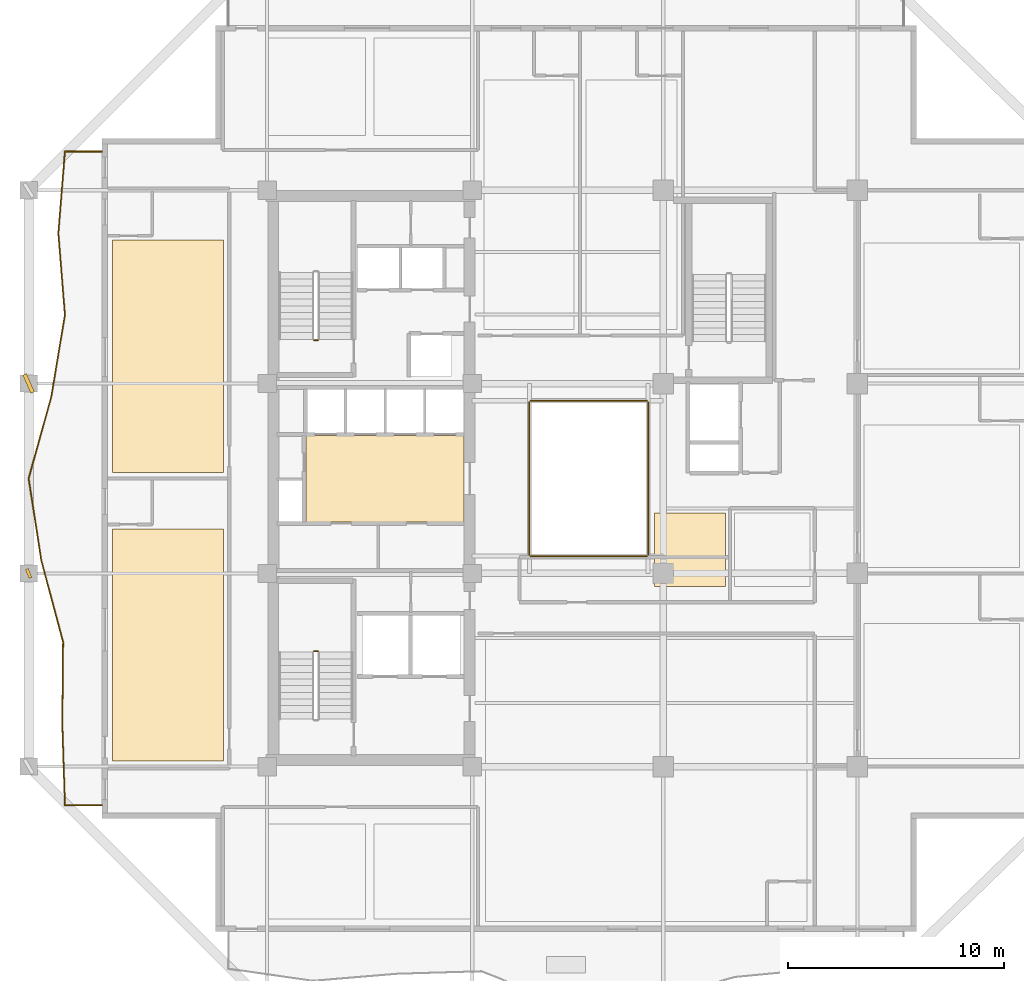
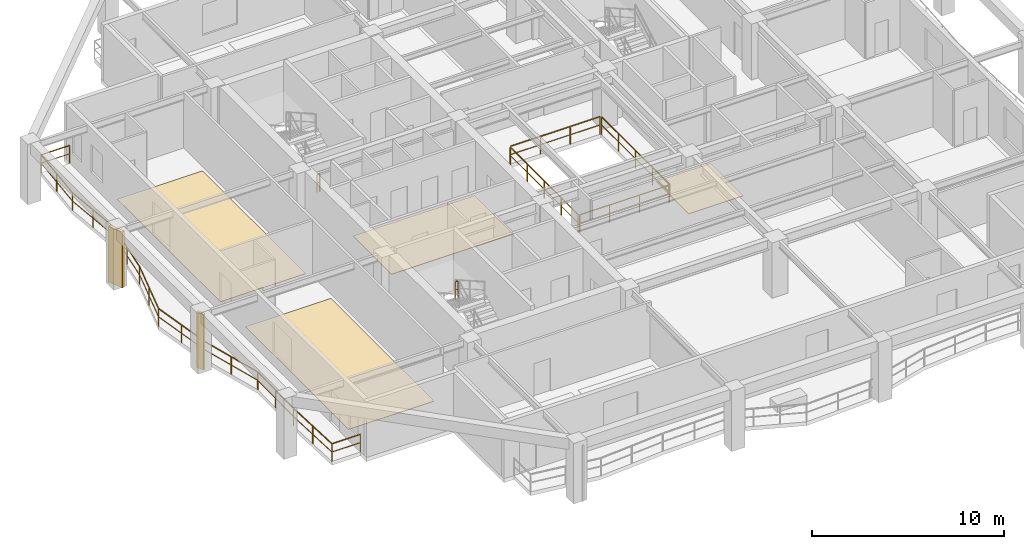
# One storey, part 8 of 12: 7 railings, 4 coverings, 2 shading devices.
"""IFC4 building model written with IfcOpenShell, lengths in metres."""

from ifc_helpers import new_model, si_unit, direction, frame, origin, origin_2d, place, context, subcontext, project, spatial, polyline, rectangle, outline, extrude, material, layer, layer_set, type_object, element, save


model = new_model("IFC4")

# Units and contexts
model_context = context("Model", 3, precision=1e-05, world=origin(), true_north=direction((0.0, 1.0)))
body_context = subcontext(model_context, "Body", "Model", "MODEL_VIEW")
ifc_project = project(units=[si_unit("LENGTHUNIT", "METRE"), si_unit("AREAUNIT", "SQUARE_METRE"), si_unit("VOLUMEUNIT", "CUBIC_METRE"), si_unit("PLANEANGLEUNIT", "RADIAN"), si_unit("MASSUNIT", "GRAM", prefix="KILO")], contexts=[model_context])

# Site, building, storey
site_placement = place(None, origin())
site = spatial("IfcSite", under=ifc_project, at=site_placement, CompositionType="ELEMENT")
building_placement = place(site_placement, origin())
building = spatial("IfcBuilding", under=site, at=building_placement, Name="Kundavana Baori Tower", CompositionType="ELEMENT")
storey_placement = place(building_placement, frame((0.0, 0.0, 200.25)))
storey = spatial("IfcBuildingStorey", under=building, at=storey_placement, Name="L49", CompositionType="ELEMENT", Elevation=200.25)

# Coverings
ifc_material_1 = material(Name="Honed Kota Stone and Terrazzo Flooring", Category="masonry")
ifc_layer_1 = layer(ifc_material_1, 0.0400390625, Name="COV-FLR-TERR-40")
ifc_layer_set_1 = layer_set([ifc_layer_1], Name="Honed Kota Stone and Terrazzo Flooring")
covering_type_1 = type_object("IfcCoveringType", Name="COV-FLR-TERR-40", PredefinedType="FLOORING", material=ifc_layer_set_1)
covering_1_placement = place(storey_placement, origin())
element("IfcCovering", 1, at=covering_1_placement, inside=storey, type_object=covering_type_1, Name="L49 Core Lift Lobby Kota Stone Flooring", PredefinedType="FLOORING", context=body_context, shape_type="SweptSolid", body=[
    extrude(outline(polyline([(17.25, 26.580078125), (24.580078125, 26.580078125), (24.580078125, 30.60009765625), (17.25, 30.60009765625), (17.25, 26.580078125)])), origin(), (0.0, 0.0, 1.0), 0.0400390625),
])
ifc_material_2 = material(Name="Honed Kota Stone and Terrazzo Flooring", Category="masonry")
ifc_layer_2 = layer(ifc_material_2, 0.030029296875, Name="COV-INT-FLR")
ifc_layer_set_2 = layer_set([ifc_layer_2], Name="Honed Kota Stone and Terrazzo Flooring")
covering_type_2 = type_object("IfcCoveringType", Name="COV-INT-FLR", PredefinedType="FLOORING", material=ifc_layer_set_2)
covering_2_placement = place(storey_placement, origin())
element("IfcCovering", 2, at=covering_2_placement, inside=storey, type_object=covering_type_2, Name="L49 Room Finished Stone Flooring 1", PredefinedType="FLOORING", context=body_context, shape_type="SweptSolid", body=[
    extrude(outline(polyline([(8.280029296875, 15.5), (13.419921875, 15.5), (13.419921875, 26.27001953125), (8.280029296875, 26.27001953125), (8.280029296875, 15.5)])), origin(), (0.0, 0.0, 1.0), 0.030029296875),
])
covering_3_placement = place(storey_placement, origin())
element("IfcCovering", 3, at=covering_3_placement, inside=storey, type_object=covering_type_2, Name="L49 Room Finished Stone Flooring 2", PredefinedType="FLOORING", context=body_context, shape_type="SweptSolid", body=[
    extrude(outline(polyline([(8.280029296875, 28.8798828125), (13.419921875, 28.8798828125), (13.419921875, 39.64990234375), (8.280029296875, 39.64990234375), (8.280029296875, 28.8798828125)])), origin(), (0.0, 0.0, 1.0), 0.030029296875),
])
covering_4_placement = place(storey_placement, origin())
element("IfcCovering", 4, at=covering_4_placement, inside=storey, type_object=covering_type_2, Name="L49 Room Finished Stone Flooring 13", PredefinedType="FLOORING", context=body_context, shape_type="SweptSolid", body=[
    extrude(outline(polyline([(33.39990234375, 23.60009765625), (36.699951171875, 23.60009765625), (36.699951171875, 27.0), (33.39990234375, 27.0), (33.39990234375, 23.60009765625)])), origin(), (0.0, 0.0, 1.0), 0.030029296875),
])

# Railings
ifc_material_3 = material(Name="Architectural Patinated Bronze Metalwork")
railing_type_1 = type_object("IfcRailingType", Name="RL-BAL-1150", PredefinedType="BALUSTRADE", material=ifc_material_3)
railing_1_placement = place(storey_placement, frame((7.800048828125, 13.449951171875, 0.0)))
element("IfcRailing", 5, at=railing_1_placement, inside=storey, type_object=railing_type_1, Name="L49 Loggia Balcony Balustrade W", PredefinedType="BALUSTRADE", context=body_context, shape_type="SweptSolid", body=[
    extrude(rectangle(XDim=0.048095703125, YDim=0.048095703125, at=origin_2d()), frame((0.0, 0.0, 1.1259765625), z_axis=(-1.0, 0.0, 0.0), x_axis=(0.0, -1.0, 0.0)), (0.0, 0.0, 1.0), 1.719970703125),
    extrude(rectangle(XDim=0.03125, YDim=0.03125, at=origin_2d()), frame((0.0, 0.0, 0.597900390625), z_axis=(-1.0, 0.0, 0.0), x_axis=(0.0, -1.0, 0.0)), (0.0, 0.0, 1.0), 1.719970703125),
    extrude(rectangle(XDim=0.048095703125, YDim=0.048095703125, at=origin_2d()), frame((-1.719970703125, 0.0, 1.1259765625), z_axis=(-0.03246547565, 0.999472857506, 0.0), x_axis=(-0.999472857506, -0.03246547565, 0.0)), (0.0, 0.0, 1.0), 3.7900390625),
    extrude(rectangle(XDim=0.03125, YDim=0.03125, at=origin_2d()), frame((-1.719970703125, 0.0, 0.597900390625), z_axis=(-0.03246547565, 0.999472857506, 0.0), x_axis=(-0.999472857506, -0.03246547565, 0.0)), (0.0, 0.0, 1.0), 3.7900390625),
    extrude(rectangle(XDim=0.048095703125, YDim=0.048095703125, at=origin_2d()), frame((-1.843017578125, 3.7880859375, 1.1259765625), z_axis=(0.00973456549, 0.999952617995, 0.0), x_axis=(-0.999952617995, 0.00973456549, 0.0)), (0.0, 0.0, 1.0), 3.787109375),
    extrude(rectangle(XDim=0.03125, YDim=0.03125, at=origin_2d()), frame((-1.843017578125, 3.7880859375, 0.597900390625), z_axis=(0.00973456549, 0.999952617995, 0.0), x_axis=(-0.999952617995, 0.00973456549, 0.0)), (0.0, 0.0, 1.0), 3.787109375),
    extrude(rectangle(XDim=0.048095703125, YDim=0.048095703125, at=origin_2d()), frame((-1.80615234375, 7.574951171875, 1.1259765625), z_axis=(-0.257922377648, 0.966165641652, 0.0), x_axis=(-0.966165641652, -0.257922377648, 0.0)), (0.0, 0.0, 1.0), 3.919677734375),
    extrude(rectangle(XDim=0.03125, YDim=0.03125, at=origin_2d()), frame((-1.80615234375, 7.574951171875, 0.597900390625), z_axis=(-0.257922377648, 0.966165641652, 0.0), x_axis=(-0.966165641652, -0.257922377648, 0.0)), (0.0, 0.0, 1.0), 3.919677734375),
    extrude(rectangle(XDim=0.048095703125, YDim=0.048095703125, at=origin_2d()), frame((-2.817138671875, 11.362060546875, 1.1259765625), z_axis=(-0.152114624091, 0.988362859044, 0.0), x_axis=(-0.988362859044, -0.152114624091, 0.0)), (0.0, 0.0, 1.0), 3.832763671875),
    extrude(rectangle(XDim=0.03125, YDim=0.03125, at=origin_2d()), frame((-2.817138671875, 11.362060546875, 0.597900390625), z_axis=(-0.152114624091, 0.988362859044, 0.0), x_axis=(-0.988362859044, -0.152114624091, 0.0)), (0.0, 0.0, 1.0), 3.832763671875),
    extrude(rectangle(XDim=0.048095703125, YDim=0.048095703125, at=origin_2d()), frame((-3.400146484375, 15.150146484375, 1.1259765625), z_axis=(0.266679363274, 0.963785306592, 0.0), x_axis=(-0.963785306592, 0.266679363274, 0.0)), (0.0, 0.0, 1.0), 3.93017578125),
    extrude(rectangle(XDim=0.03125, YDim=0.03125, at=origin_2d()), frame((-3.400146484375, 15.150146484375, 0.597900390625), z_axis=(0.266679363274, 0.963785306592, 0.0), x_axis=(-0.963785306592, 0.266679363274, 0.0)), (0.0, 0.0, 1.0), 3.93017578125),
    extrude(rectangle(XDim=0.048095703125, YDim=0.048095703125, at=origin_2d()), frame((-2.35205078125, 18.93798828125, 1.1259765625), z_axis=(0.16437836371, 0.986397360876, 0.0), x_axis=(-0.986397360876, 0.16437836371, 0.0)), (0.0, 0.0, 1.0), 3.83935546875),
    extrude(rectangle(XDim=0.03125, YDim=0.03125, at=origin_2d()), frame((-2.35205078125, 18.93798828125, 0.597900390625), z_axis=(0.16437836371, 0.986397360876, 0.0), x_axis=(-0.986397360876, 0.16437836371, 0.0)), (0.0, 0.0, 1.0), 3.83935546875),
    extrude(rectangle(XDim=0.048095703125, YDim=0.048095703125, at=origin_2d()), frame((-1.720947265625, 22.72509765625, 1.1259765625), z_axis=(-0.080072154037, 0.996789070038, 0.0), x_axis=(-0.996789070038, -0.080072154037, 0.0)), (0.0, 0.0, 1.0), 3.799072265625),
    extrude(rectangle(XDim=0.03125, YDim=0.03125, at=origin_2d()), frame((-1.720947265625, 22.72509765625, 0.597900390625), z_axis=(-0.080072154037, 0.996789070038, 0.0), x_axis=(-0.996789070038, -0.080072154037, 0.0)), (0.0, 0.0, 1.0), 3.799072265625),
    extrude(rectangle(XDim=0.048095703125, YDim=0.048095703125, at=origin_2d()), frame((-2.025146484375, 26.511962890625, 1.1259765625), z_axis=(0.080301833049, 0.996770593271, 0.0), x_axis=(-0.996770593271, 0.080301833049, 0.0)), (0.0, 0.0, 1.0), 3.80029296875),
    extrude(rectangle(XDim=0.03125, YDim=0.03125, at=origin_2d()), frame((-2.025146484375, 26.511962890625, 0.597900390625), z_axis=(0.080301833049, 0.996770593271, 0.0), x_axis=(-0.996770593271, 0.080301833049, 0.0)), (0.0, 0.0, 1.0), 3.80029296875),
    extrude(rectangle(XDim=0.048095703125, YDim=0.048095703125, at=origin_2d()), frame((-1.719970703125, 30.300048828125, 1.1259765625), z_axis=(1.0, 0.0, 0.0), x_axis=(0.0, 1.0, 0.0)), (0.0, 0.0, 1.0), 1.719970703125),
    extrude(rectangle(XDim=0.03125, YDim=0.03125, at=origin_2d()), frame((-1.719970703125, 30.300048828125, 0.597900390625), z_axis=(1.0, 0.0, 0.0), x_axis=(0.0, 1.0, 0.0)), (0.0, 0.0, 1.0), 1.719970703125),
    extrude(rectangle(XDim=0.0419921875, YDim=0.0419921875, at=origin_2d()), origin(), (0.0, 0.0, 1.0), 1.101806640625),
    extrude(rectangle(XDim=0.0419921875, YDim=0.0419921875, at=origin_2d()), frame((-1.719970703125, 0.0, 0.0)), (0.0, 0.0, 1.0), 1.101806640625),
    extrude(rectangle(XDim=0.0419921875, YDim=0.0419921875, at=origin_2d()), frame((-1.781494140625, 1.89404296875, 0.0)), (0.0, 0.0, 1.0), 1.101806640625),
    extrude(rectangle(XDim=0.0419921875, YDim=0.0419921875, at=origin_2d()), frame((-1.843017578125, 3.7880859375, 0.0)), (0.0, 0.0, 1.0), 1.101806640625),
    extrude(rectangle(XDim=0.0419921875, YDim=0.0419921875, at=origin_2d()), frame((-1.82470703125, 5.681640625, 0.0)), (0.0, 0.0, 1.0), 1.101806640625),
    extrude(rectangle(XDim=0.0419921875, YDim=0.0419921875, at=origin_2d()), frame((-1.80615234375, 7.574951171875, 0.0)), (0.0, 0.0, 1.0), 1.101806640625),
    extrude(rectangle(XDim=0.0419921875, YDim=0.0419921875, at=origin_2d()), frame((-2.3115234375, 9.468505859375, 0.0)), (0.0, 0.0, 1.0), 1.101806640625),
    extrude(rectangle(XDim=0.0419921875, YDim=0.0419921875, at=origin_2d()), frame((-2.817138671875, 11.362060546875, 0.0)), (0.0, 0.0, 1.0), 1.101806640625),
    extrude(rectangle(XDim=0.0419921875, YDim=0.0419921875, at=origin_2d()), frame((-3.108642578125, 13.256103515625, 0.0)), (0.0, 0.0, 1.0), 1.101806640625),
    extrude(rectangle(XDim=0.0419921875, YDim=0.0419921875, at=origin_2d()), frame((-3.400146484375, 15.150146484375, 0.0)), (0.0, 0.0, 1.0), 1.101806640625),
    extrude(rectangle(XDim=0.0419921875, YDim=0.0419921875, at=origin_2d()), frame((-2.8759765625, 17.0439453125, 0.0)), (0.0, 0.0, 1.0), 1.101806640625),
    extrude(rectangle(XDim=0.0419921875, YDim=0.0419921875, at=origin_2d()), frame((-2.35205078125, 18.93798828125, 0.0)), (0.0, 0.0, 1.0), 1.101806640625),
    extrude(rectangle(XDim=0.0419921875, YDim=0.0419921875, at=origin_2d()), frame((-2.03662109375, 20.83154296875, 0.0)), (0.0, 0.0, 1.0), 1.101806640625),
    extrude(rectangle(XDim=0.0419921875, YDim=0.0419921875, at=origin_2d()), frame((-1.720947265625, 22.72509765625, 0.0)), (0.0, 0.0, 1.0), 1.101806640625),
    extrude(rectangle(XDim=0.0419921875, YDim=0.0419921875, at=origin_2d()), frame((-1.873046875, 24.61865234375, 0.0)), (0.0, 0.0, 1.0), 1.101806640625),
    extrude(rectangle(XDim=0.0419921875, YDim=0.0419921875, at=origin_2d()), frame((-2.025146484375, 26.511962890625, 0.0)), (0.0, 0.0, 1.0), 1.101806640625),
    extrude(rectangle(XDim=0.0419921875, YDim=0.0419921875, at=origin_2d()), frame((-1.87255859375, 28.406005859375, 0.0)), (0.0, 0.0, 1.0), 1.101806640625),
    extrude(rectangle(XDim=0.0419921875, YDim=0.0419921875, at=origin_2d()), frame((-1.719970703125, 30.300048828125, 0.0)), (0.0, 0.0, 1.0), 1.101806640625),
    extrude(rectangle(XDim=0.0419921875, YDim=0.0419921875, at=origin_2d()), frame((0.0, 30.300048828125, 0.0)), (0.0, 0.0, 1.0), 1.101806640625),
])
ifc_material_4 = material(Name="Architectural Patinated Bronze Metalwork")
railing_type_2 = type_object("IfcRailingType", Name="RL-GRD-1150", PredefinedType="GUARDRAIL", material=ifc_material_4)
for number, where, name in (
    (6, (17.7900390625, 20.60009765625, 1.925048828125), "L49 ST1 stair guard 2"),
    (7, (17.7900390625, 35.0, 0.0), "L49 ST2 stair guard 4"),
):
    element("IfcRailing", number, at=place(storey_placement, frame(where)), inside=storey, type_object=railing_type_2, Name=name, PredefinedType="GUARDRAIL", context=body_context, shape_type="SweptSolid", body=[
        extrude(rectangle(XDim=0.048095703125, YDim=0.048095703125, at=origin_2d()), frame((0.0, 0.0, 1.1259765625), z_axis=(-1.0, 0.0, 0.0), x_axis=(0.0, -1.0, 0.0)), (0.0, 0.0, 1.0), 0.16015625),
        extrude(rectangle(XDim=0.03125, YDim=0.03125, at=origin_2d()), frame((0.0, 0.0, 0.597900390625), z_axis=(-1.0, 0.0, 0.0), x_axis=(0.0, -1.0, 0.0)), (0.0, 0.0, 1.0), 0.16015625),
        extrude(rectangle(XDim=0.0419921875, YDim=0.0419921875, at=origin_2d()), origin(), (0.0, 0.0, 1.0), 1.101806640625),
        extrude(rectangle(XDim=0.0419921875, YDim=0.0419921875, at=origin_2d()), frame((-0.16015625, 0.0, 0.0)), (0.0, 0.0, 1.0), 1.101806640625),
    ])
railing_2_placement = place(storey_placement, frame((27.659912109375, 25.0, 0.0)))
element("IfcRailing", 8, at=railing_2_placement, inside=storey, type_object=railing_type_2, Name="L49 Atrium Void Perimeter Guardrail S", PredefinedType="GUARDRAIL", context=body_context, shape_type="SweptSolid", body=[
    extrude(rectangle(XDim=0.048095703125, YDim=0.048095703125, at=origin_2d()), frame((0.0, 0.0, 1.1259765625), z_axis=(1.0, 0.0, 0.0), x_axis=(0.0, 1.0, 0.0)), (0.0, 0.0, 1.0), 5.380126953125),
    extrude(rectangle(XDim=0.03125, YDim=0.03125, at=origin_2d()), frame((0.0, 0.0, 0.597900390625), z_axis=(1.0, 0.0, 0.0), x_axis=(0.0, 1.0, 0.0)), (0.0, 0.0, 1.0), 5.380126953125),
    extrude(rectangle(XDim=0.0419921875, YDim=0.0419921875, at=origin_2d()), origin(), (0.0, 0.0, 1.0), 1.101806640625),
    extrude(rectangle(XDim=0.0419921875, YDim=0.0419921875, at=origin_2d()), frame((1.79345703125, 0.0, 0.0)), (0.0, 0.0, 1.0), 1.101806640625),
    extrude(rectangle(XDim=0.0419921875, YDim=0.0419921875, at=origin_2d()), frame((3.586669921875, 0.0, 0.0)), (0.0, 0.0, 1.0), 1.101806640625),
    extrude(rectangle(XDim=0.0419921875, YDim=0.0419921875, at=origin_2d()), frame((5.380126953125, 0.0, 0.0)), (0.0, 0.0, 1.0), 1.101806640625),
])
railing_3_placement = place(storey_placement, frame((33.10009765625, 25.06005859375, 0.0)))
element("IfcRailing", 9, at=railing_3_placement, inside=storey, type_object=railing_type_2, Name="L49 Atrium Void Perimeter Guardrail E", PredefinedType="GUARDRAIL", context=body_context, shape_type="SweptSolid", body=[
    extrude(rectangle(XDim=0.048095703125, YDim=0.048095703125, at=origin_2d()), frame((0.0, 0.0, 1.1259765625), z_axis=(0.0, 1.0, 0.0), x_axis=(-1.0, 0.0, 0.0)), (0.0, 0.0, 1.0), 7.079833984375),
    extrude(rectangle(XDim=0.03125, YDim=0.03125, at=origin_2d()), frame((0.0, 0.0, 0.597900390625), z_axis=(0.0, 1.0, 0.0), x_axis=(-1.0, 0.0, 0.0)), (0.0, 0.0, 1.0), 7.079833984375),
    extrude(rectangle(XDim=0.0419921875, YDim=0.0419921875, at=origin_2d()), origin(), (0.0, 0.0, 1.0), 1.101806640625),
    extrude(rectangle(XDim=0.0419921875, YDim=0.0419921875, at=origin_2d()), frame((0.0, 1.77001953125, 0.0)), (0.0, 0.0, 1.0), 1.101806640625),
    extrude(rectangle(XDim=0.0419921875, YDim=0.0419921875, at=origin_2d()), frame((0.0, 3.5400390625, 0.0)), (0.0, 0.0, 1.0), 1.101806640625),
    extrude(rectangle(XDim=0.0419921875, YDim=0.0419921875, at=origin_2d()), frame((0.0, 5.309814453125, 0.0)), (0.0, 0.0, 1.0), 1.101806640625),
    extrude(rectangle(XDim=0.0419921875, YDim=0.0419921875, at=origin_2d()), frame((0.0, 7.079833984375, 0.0)), (0.0, 0.0, 1.0), 1.101806640625),
])
railing_4_placement = place(storey_placement, frame((33.0400390625, 32.199951171875, 0.0)))
element("IfcRailing", 10, at=railing_4_placement, inside=storey, type_object=railing_type_2, Name="L49 Atrium Void Perimeter Guardrail N", PredefinedType="GUARDRAIL", context=body_context, shape_type="SweptSolid", body=[
    extrude(rectangle(XDim=0.048095703125, YDim=0.048095703125, at=origin_2d()), frame((0.0, 0.0, 1.1259765625), z_axis=(-1.0, 0.0, 0.0), x_axis=(0.0, -1.0, 0.0)), (0.0, 0.0, 1.0), 5.380126953125),
    extrude(rectangle(XDim=0.03125, YDim=0.03125, at=origin_2d()), frame((0.0, 0.0, 0.597900390625), z_axis=(-1.0, 0.0, 0.0), x_axis=(0.0, -1.0, 0.0)), (0.0, 0.0, 1.0), 5.380126953125),
    extrude(rectangle(XDim=0.0419921875, YDim=0.0419921875, at=origin_2d()), origin(), (0.0, 0.0, 1.0), 1.101806640625),
    extrude(rectangle(XDim=0.0419921875, YDim=0.0419921875, at=origin_2d()), frame((-1.79345703125, 0.0, 0.0)), (0.0, 0.0, 1.0), 1.101806640625),
    extrude(rectangle(XDim=0.0419921875, YDim=0.0419921875, at=origin_2d()), frame((-3.586669921875, 0.0, 0.0)), (0.0, 0.0, 1.0), 1.101806640625),
    extrude(rectangle(XDim=0.0419921875, YDim=0.0419921875, at=origin_2d()), frame((-5.380126953125, 0.0, 0.0)), (0.0, 0.0, 1.0), 1.101806640625),
])
railing_5_placement = place(storey_placement, frame((27.60009765625, 32.139892578125, 0.0)))
element("IfcRailing", 11, at=railing_5_placement, inside=storey, type_object=railing_type_2, Name="L49 Atrium Void Perimeter Guardrail W", PredefinedType="GUARDRAIL", context=body_context, shape_type="SweptSolid", body=[
    extrude(rectangle(XDim=0.048095703125, YDim=0.048095703125, at=origin_2d()), frame((0.0, 0.0, 1.1259765625), z_axis=(0.0, -1.0, 0.0), x_axis=(1.0, 0.0, 0.0)), (0.0, 0.0, 1.0), 7.079833984375),
    extrude(rectangle(XDim=0.03125, YDim=0.03125, at=origin_2d()), frame((0.0, 0.0, 0.597900390625), z_axis=(0.0, -1.0, 0.0), x_axis=(1.0, 0.0, 0.0)), (0.0, 0.0, 1.0), 7.079833984375),
    extrude(rectangle(XDim=0.0419921875, YDim=0.0419921875, at=origin_2d()), origin(), (0.0, 0.0, 1.0), 1.101806640625),
    extrude(rectangle(XDim=0.0419921875, YDim=0.0419921875, at=origin_2d()), frame((0.0, -1.77001953125, 0.0)), (0.0, 0.0, 1.0), 1.101806640625),
    extrude(rectangle(XDim=0.0419921875, YDim=0.0419921875, at=origin_2d()), frame((0.0, -3.5400390625, 0.0)), (0.0, 0.0, 1.0), 1.101806640625),
    extrude(rectangle(XDim=0.0419921875, YDim=0.0419921875, at=origin_2d()), frame((0.0, -5.309814453125, 0.0)), (0.0, 0.0, 1.0), 1.101806640625),
    extrude(rectangle(XDim=0.0419921875, YDim=0.0419921875, at=origin_2d()), frame((0.0, -7.079833984375, 0.0)), (0.0, 0.0, 1.0), 1.101806640625),
])

# Shading devices
ifc_material_5 = material(Name="Red-Buff Dholpur Sandstone Cladding on Concrete C40/50", Category="masonry")
shading_device_type_1 = type_object("IfcShadingDeviceType", Name="SHD-FIN-920", PredefinedType="JALOUSIE", material=ifc_material_5)
shading_device_1_placement = place(storey_placement, frame((4.39990234375, 33.0, 0.0), z_axis=(0.0, 0.0, 1.0), x_axis=(0.915802843794, 0.401628125633, 0.0)))
element("IfcShadingDevice", 12, at=shading_device_1_placement, inside=storey, type_object=shading_device_type_1, Name="L49 Sweeping Dholpur Sandstone Facade Fin 7", PredefinedType="JALOUSIE", context=body_context, shape_type="SweptSolid", body=[
    extrude(rectangle(XDim=0.179931640625, YDim=0.919921875, at=origin_2d()), origin(), (0.0, 0.0, 1.0), 3.550048828125),
])
ifc_material_6 = material(Name="Architectural Patinated Bronze Metalwork")
shading_device_type_2 = type_object("IfcShadingDeviceType", Name="SHD-LOUV-450", PredefinedType="SHUTTER", material=ifc_material_6)
shading_device_2_placement = place(storey_placement, frame((4.39990234375, 24.199951171875, 0.0), z_axis=(0.0, 0.0, 1.0), x_axis=(0.921592390043, 0.388159073855, 0.0)))
element("IfcShadingDevice", 13, at=shading_device_2_placement, inside=storey, type_object=shading_device_type_2, Name="L49 Sweeping Dholpur Sandstone Facade Fin 6", PredefinedType="SHUTTER", context=body_context, shape_type="SweptSolid", body=[
    extrude(rectangle(XDim=0.139892578125, YDim=0.449951171875, at=origin_2d()), origin(), (0.0, 0.0, 1.0), 3.550048828125),
])

save(model, "model.ifc")
